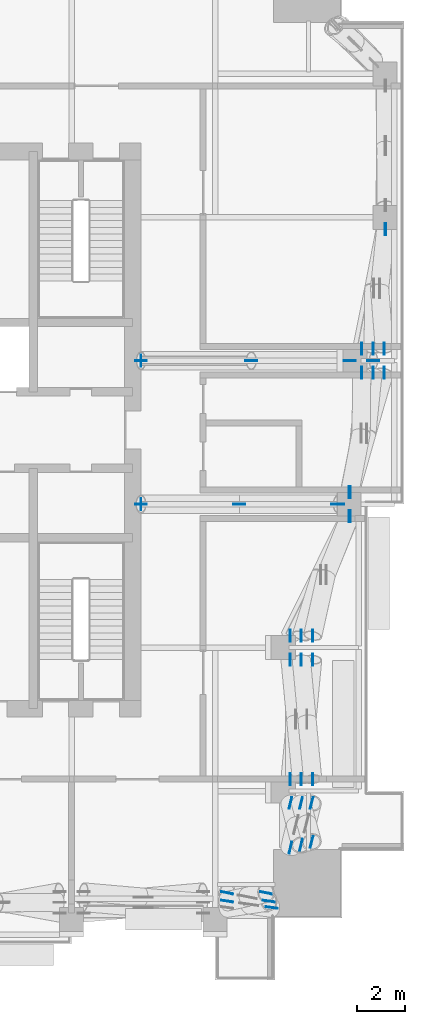
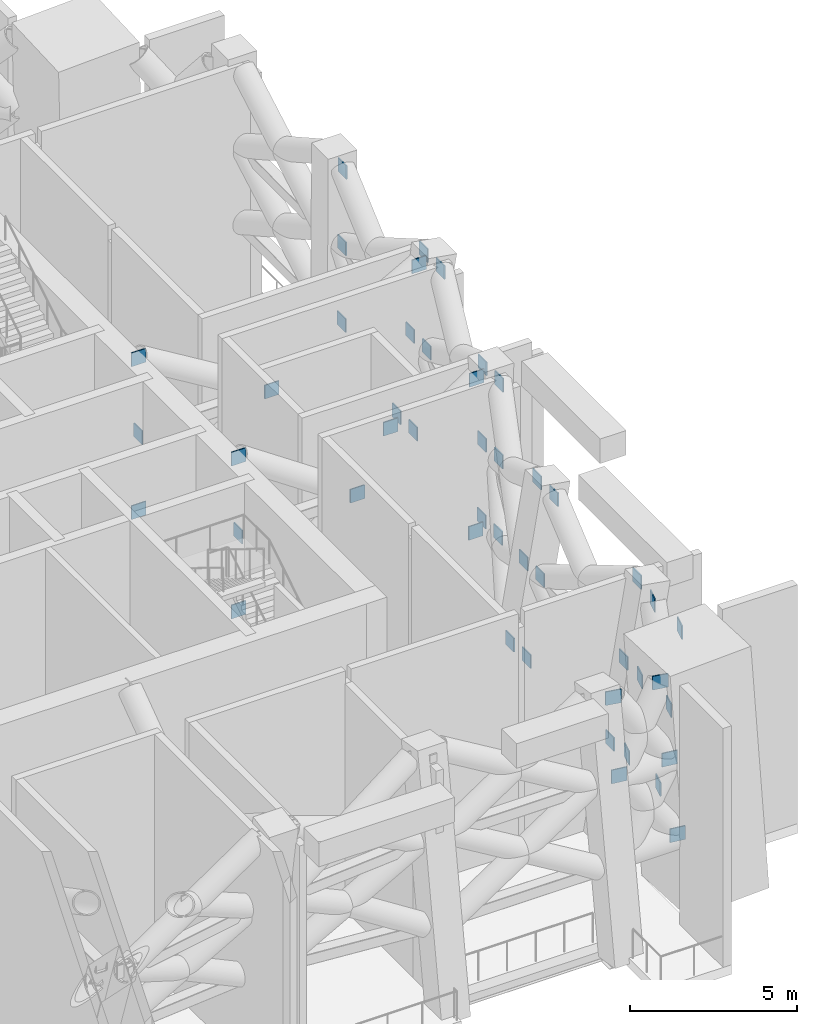
# One storey, part 13 of 18: 47 discrete accessories.
"""IFC4 building model written with IfcOpenShell, lengths in metres."""

from ifc_helpers import new_model, si_unit, direction, frame, origin, origin_2d, place, context, subcontext, project, spatial, rectangle, extrude, element, save


model = new_model("IFC4")

# Units and contexts
model_context = context("Model", 3, precision=1e-05, world=origin(), true_north=direction((0.0, 1.0)))
body_context = subcontext(model_context, "Body", "Model", "MODEL_VIEW")
ifc_project = project(units=[si_unit("LENGTHUNIT", "METRE"), si_unit("AREAUNIT", "SQUARE_METRE"), si_unit("VOLUMEUNIT", "CUBIC_METRE"), si_unit("PLANEANGLEUNIT", "RADIAN"), si_unit("MASSUNIT", "GRAM", prefix="KILO")], contexts=[model_context])

# Site, building, storey
site_placement = place(None, origin())
site = spatial("IfcSite", under=ifc_project, at=site_placement, CompositionType="ELEMENT")
building_placement = place(site_placement, origin())
building = spatial("IfcBuilding", under=site, at=building_placement, Name="Amberfall Residences", CompositionType="ELEMENT")
storey_placement = place(building_placement, frame((0.0, 0.0, 178.0)))
storey = spatial("IfcBuildingStorey", under=building, at=storey_placement, Name="L48", CompositionType="ELEMENT", Elevation=178.0)

# Discrete accessories
discrete_accessory_1_placement = place(storey_placement, frame((86.5, 42.39990234375, 5.449951171875), z_axis=(0.0, 0.0, 1.0), x_axis=(1.0, 0.0, 0.0)))
element("IfcDiscreteAccessory", 1, at=discrete_accessory_1_placement, inside=storey, Name="Cast-in plate L48", PredefinedType="BRACKET", context=body_context, shape_type="SweptSolid", body=[
    extrude(rectangle(XDim=0.0400390625, YDim=0.5, at=origin_2d()), origin(), (0.0, 0.0, 1.0), 0.5),
])
for number, where, z_axis, x_axis, name in (
    (2, (94.71728515625, 42.39990234375, 2.64990234375), (0.0, 0.0, 1.0), (1.0, 0.0, 0.0), "Connection plate L48"),
    (3, (90.616455078125, 42.39990234375, 5.449951171875), (0.0, 0.0, 1.0), (1.0, 0.0, 0.0), "Connection plate L48"),
    (4, (86.5, 42.39990234375, 2.64990234375), (0.0, 0.0, 1.0), (1.0, 0.0, 0.0), "Connection plate L48"),
    (5, (94.748779296875, 42.39990234375, 8.25), (0.0, 0.0, 1.0), (1.0, 0.0, 0.0), "Connection plate L48"),
    (6, (86.5, 42.39990234375, 8.25), (0.0, 0.0, 1.0), (1.0, 0.0, 0.0), "Connection plate L48"),
):
    element("IfcDiscreteAccessory", number, at=place(storey_placement, frame(where, z_axis=z_axis, x_axis=x_axis)), inside=storey, Name=name, PredefinedType="BRACKET", context=body_context, shape_type="SweptSolid", body=[
        extrude(rectangle(XDim=0.5, YDim=0.0400390625, at=origin_2d()), origin(), (0.0, 0.0, 1.0), 0.5),
    ])
discrete_accessory_2_placement = place(storey_placement, frame((86.5, 48.39990234375, 5.449951171875), z_axis=(0.0, 0.0, 1.0), x_axis=(1.0, 0.0, 0.0)))
element("IfcDiscreteAccessory", 7, at=discrete_accessory_2_placement, inside=storey, Name="Cast-in plate L48", PredefinedType="BRACKET", context=body_context, shape_type="SweptSolid", body=[
    extrude(rectangle(XDim=0.0400390625, YDim=0.5, at=origin_2d()), origin(), (0.0, 0.0, 1.0), 0.5),
])
for number, where, z_axis, x_axis, name in (
    (8, (95.234619140625, 48.39990234375, 2.64990234375), (0.0, 0.0, 1.0), (1.0, 0.0, 0.0), "Connection plate L48"),
    (9, (91.114013671875, 48.39990234375, 5.449951171875), (0.0, 0.0, 1.0), (1.0, 0.0, 0.0), "Connection plate L48"),
    (10, (86.5, 48.39990234375, 2.64990234375), (0.0, 0.0, 1.0), (1.0, 0.0, 0.0), "Connection plate L48"),
    (11, (96.2216796875, 48.39990234375, 8.25), (0.0, 0.0, 1.0), (1.0, 0.0, 0.0), "Connection plate L48"),
    (12, (86.5, 48.39990234375, 8.25), (0.0, 0.0, 1.0), (1.0, 0.0, 0.0), "Connection plate L48"),
    (13, (92.734619140625, 30.89990234375, 2.64990234375), (0.0, 0.0, 1.0), (0.0, 1.0, 0.0), "Connection plate L48"),
    (14, (93.20703125, 35.89990234375, 5.449951171875), (0.0, 0.0, 1.0), (0.0, 1.0, 0.0), "Connection plate L48"),
    (15, (93.20703125, 30.89990234375, 5.449951171875), (0.0, 0.0, 1.0), (0.0, 1.0, 0.0), "Connection plate L48"),
    (16, (92.734619140625, 35.89990234375, 2.64990234375), (0.0, 0.0, 1.0), (0.0, 1.0, 0.0), "Connection plate L48"),
    (17, (93.6796875, 35.89990234375, 8.25), (0.0, 0.0, 1.0), (0.0, 1.0, 0.0), "Connection plate L48"),
    (18, (93.6796875, 30.89990234375, 8.25), (0.0, 0.0, 1.0), (0.0, 1.0, 0.0), "Connection plate L48"),
    (19, (92.734619140625, 36.89990234375, 2.64990234375), (0.0, 0.0, 1.0), (0.0, 1.0, 0.0), "Connection plate L48"),
    (20, (95.232421875, 41.89990234375, 5.449951171875), (0.0, 0.0, 1.0), (0.0, 1.0, 0.0), "Connection plate L48"),
    (21, (93.20703125, 36.89990234375, 5.449951171875), (0.0, 0.0, 1.0), (0.0, 1.0, 0.0), "Connection plate L48"),
    (22, (95.21728515625, 41.89990234375, 2.64990234375), (0.0, 0.0, 1.0), (0.0, 1.0, 0.0), "Connection plate L48"),
    (23, (95.247314453125, 41.89990234375, 8.25), (0.0, 0.0, 1.0), (0.0, 1.0, 0.0), "Connection plate L48"),
    (24, (93.6796875, 36.89990234375, 8.25), (0.0, 0.0, 1.0), (0.0, 1.0, 0.0), "Connection plate L48"),
    (25, (95.21728515625, 42.89990234375, 2.64990234375), (0.0, 0.0, 1.0), (0.0, 1.0, 0.0), "Connection plate L48"),
    (26, (96.20703125, 47.89990234375, 5.449951171875), (0.0, 0.0, 1.0), (0.0, 1.0, 0.0), "Connection plate L48"),
    (27, (95.232421875, 42.89990234375, 5.449951171875), (0.0, 0.0, 1.0), (0.0, 1.0, 0.0), "Connection plate L48"),
    (28, (95.734619140625, 47.89990234375, 2.64990234375), (0.0, 0.0, 1.0), (0.0, 1.0, 0.0), "Connection plate L48"),
    (29, (96.6796875, 47.89990234375, 8.25), (0.0, 0.0, 1.0), (0.0, 1.0, 0.0), "Connection plate L48"),
    (30, (95.247314453125, 42.89990234375, 8.25), (0.0, 0.0, 1.0), (0.0, 1.0, 0.0), "Connection plate L48"),
    (31, (95.734619140625, 48.89990234375, 2.64990234375), (0.0, 0.0, 1.0), (0.0, 1.0, 0.0), "Connection plate L48"),
    (32, (96.732421875, 53.89990234375, 5.449951171875), (0.0, 0.0, 1.0), (0.0, 1.0, 0.0), "Connection plate L48"),
    (33, (96.20703125, 48.89990234375, 5.449951171875), (0.0, 0.0, 1.0), (0.0, 1.0, 0.0), "Connection plate L48"),
    (34, (96.71728515625, 53.89990234375, 2.64990234375), (0.0, 0.0, 1.0), (0.0, 1.0, 0.0), "Connection plate L48"),
    (35, (96.747314453125, 53.89990234375, 8.25), (0.0, 0.0, 1.0), (0.0, 1.0, 0.0), "Connection plate L48"),
    (36, (96.6796875, 48.89990234375, 8.25), (0.0, 0.0, 1.0), (0.0, 1.0, 0.0), "Connection plate L48"),
    (37, (92.75146484375, 28.033447265625, 2.75), (0.0, 0.0, 1.0), (0.2326985686, 0.972548906827, 0.0), "Connection plate L48"),
    (38, (93.197998046875, 29.89990234375, 5.396484375), (0.0, 0.0, 1.0), (0.2326985686, 0.972548906827, 0.0), "Connection plate L48"),
    (39, (93.197998046875, 28.154052734375, 5.396484375), (0.0, 0.0, 1.0), (0.2326985686, 0.972548906827, 0.0), "Connection plate L48"),
    (40, (92.75146484375, 29.89990234375, 2.75), (0.0, 0.0, 1.0), (0.2326985686, 0.972548906827, 0.0), "Connection plate L48"),
    (41, (93.637451171875, 29.89990234375, 8.042724609375), (0.0, 0.0, 1.0), (0.2441058769, 0.96974858642, 0.0), "Connection plate L48"),
    (42, (93.637451171875, 28.2724609375, 8.042724609375), (0.0, 0.0, 1.0), (0.2441058769, 0.96974858642, 0.0), "Connection plate L48"),
    (43, (91.96826171875, 25.525390625, 2.75), (0.0, 0.0, 1.0), (-0.989778720102, 0.14261165883, 0.0), "Connection plate L48"),
    (44, (90.10009765625, 25.79443359375, 5.396484375), (0.0, 0.0, 1.0), (-0.989778720102, 0.14261165883, 0.0), "Connection plate L48"),
    (45, (91.84716796875, 25.79443359375, 5.396484375), (0.0, 0.0, 1.0), (-0.989778720102, 0.14261165883, 0.0), "Connection plate L48"),
    (46, (90.10009765625, 26.14404296875, 8.042724609375), (0.0, 0.0, 1.0), (-0.980573598175, 0.196151519397, 0.0), "Connection plate L48"),
    (47, (91.727783203125, 26.14404296875, 8.042724609375), (0.0, 0.0, 1.0), (-0.980573598175, 0.196151519397, 0.0), "Connection plate L48"),
):
    element("IfcDiscreteAccessory", number, at=place(storey_placement, frame(where, z_axis=z_axis, x_axis=x_axis)), inside=storey, Name=name, PredefinedType="BRACKET", context=body_context, shape_type="SweptSolid", body=[
        extrude(rectangle(XDim=0.5, YDim=0.0400390625, at=origin_2d()), origin(), (0.0, 0.0, 1.0), 0.5),
    ])

save(model, "model.ifc")
